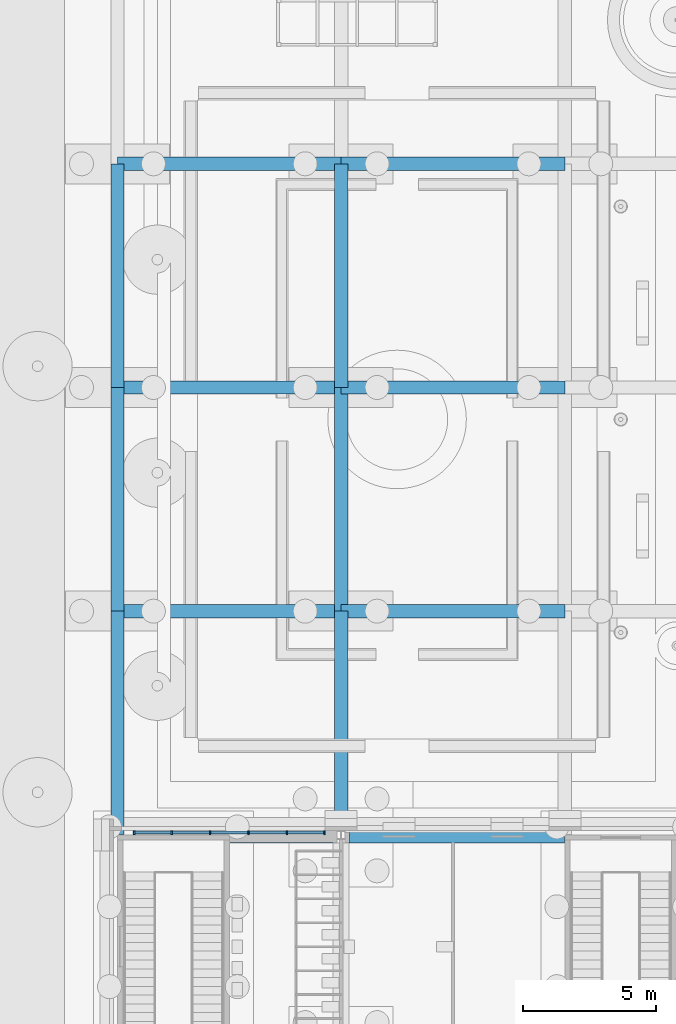
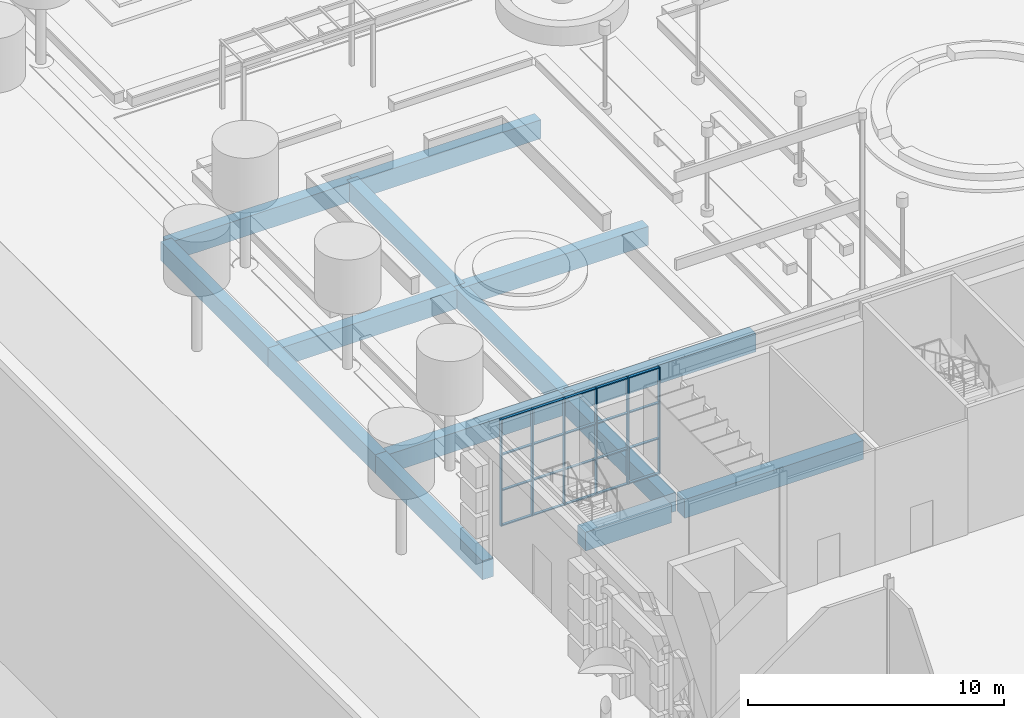
# One storey, part 42 of 222: 26 members, 14 beams, 1 element without a shape of its own.
"""IFC4 building model written with IfcOpenShell, lengths in metres."""

from ifc_helpers import new_model, si_unit, direction, frame, origin, origin_2d, place, context, subcontext, project, spatial, rectangle, extrude, material, material_profile, profile_set, type_object, element, aggregate, save


model = new_model("IFC4")

# Units and contexts
model_context = context("Model", 3, precision=1e-05, world=origin(), true_north=direction((0.0, 1.0)))
body_context = subcontext(model_context, "Body", "Model", "MODEL_VIEW")
ifc_project = project(units=[si_unit("LENGTHUNIT", "METRE"), si_unit("AREAUNIT", "SQUARE_METRE"), si_unit("VOLUMEUNIT", "CUBIC_METRE"), si_unit("PLANEANGLEUNIT", "RADIAN"), si_unit("MASSUNIT", "GRAM", prefix="KILO")], contexts=[model_context])

# Site, building, storey
site_placement = place(None, origin())
site = spatial("IfcSite", under=ifc_project, at=site_placement, CompositionType="ELEMENT")
building_placement = place(site_placement, origin())
building = spatial("IfcBuilding", under=site, at=building_placement, Name="Sava Quay Ferry Terminal", CompositionType="ELEMENT")
storey_placement = place(building_placement, origin())
storey = spatial("IfcBuildingStorey", under=building, at=storey_placement, Name="L00", CompositionType="ELEMENT", Elevation=0.0)

# Curtain wall, members
ifc_material_1 = material(Name="Aluminium and glass curtain wall, double low-e glazed", Category="aluminium")
curtain_wall_type = type_object("IfcCurtainWallType", Name="Curtain wall CW-F flank", PredefinedType="NOTDEFINED", material=ifc_material_1)
curtain_wall_placement = place(storey_placement, origin())
curtain_wall = element("IfcCurtainWall", 1, at=curtain_wall_placement, inside=storey, type_object=curtain_wall_type, Name="Curtain wall W-N L00 bay 1", PredefinedType="NOTDEFINED")
ifc_material_2 = material(Name="Aluminium EN AW-6063 T6", Category="aluminium")
ifc_material_profile_1 = material_profile(ifc_material_2, rectangle(XDim=0.14990234375, YDim=0.06005859375, at=origin_2d()), Name="Mullion 60x150 aluminium")
ifc_profile_set_1 = profile_set([ifc_material_profile_1], Name="Aluminium EN AW-6063 T6")
member_type_1 = type_object("IfcMemberType", Name="Mullion 60x150 aluminium", PredefinedType="MULLION", material=ifc_profile_set_1)
member_1_placement = place(storey_placement, frame((0.6298828125, 50.485107421875, 0.89990234375), z_axis=(0.0, 0.0, 1.0), x_axis=(0.0, 1.0, 0.0)))
member_1 = element("IfcMember", 2, at=member_1_placement, type_object=member_type_1, Name="CW119 mullion 1", PredefinedType="MULLION", context=body_context, shape_type="SweptSolid", body=[
    extrude(rectangle(XDim=0.14990234375, YDim=0.06005859375, at=origin_2d()), origin(), (0.0, 0.0, 1.0), 5.10009765625),
])
member_2_placement = place(storey_placement, frame((2.0400390625, 50.485107421875, 0.89990234375), z_axis=(0.0, 0.0, 1.0), x_axis=(0.0, 1.0, 0.0)))
member_2 = element("IfcMember", 3, at=member_2_placement, type_object=member_type_1, Name="CW119 mullion 2", PredefinedType="MULLION", context=body_context, shape_type="SweptSolid", body=[
    extrude(rectangle(XDim=0.14990234375, YDim=0.06005859375, at=origin_2d()), origin(), (0.0, 0.0, 1.0), 5.10009765625),
])
member_3_placement = place(storey_placement, frame((3.47998046875, 50.485107421875, 0.89990234375), z_axis=(0.0, 0.0, 1.0), x_axis=(0.0, 1.0, 0.0)))
member_3 = element("IfcMember", 4, at=member_3_placement, type_object=member_type_1, Name="CW119 mullion 3", PredefinedType="MULLION", context=body_context, shape_type="SweptSolid", body=[
    extrude(rectangle(XDim=0.14990234375, YDim=0.06005859375, at=origin_2d()), origin(), (0.0, 0.0, 1.0), 5.10009765625),
])
member_4_placement = place(storey_placement, frame((4.919921875, 50.485107421875, 0.89990234375), z_axis=(0.0, 0.0, 1.0), x_axis=(0.0, 1.0, 0.0)))
member_4 = element("IfcMember", 5, at=member_4_placement, type_object=member_type_1, Name="CW119 mullion 4", PredefinedType="MULLION", context=body_context, shape_type="SweptSolid", body=[
    extrude(rectangle(XDim=0.14990234375, YDim=0.06005859375, at=origin_2d()), origin(), (0.0, 0.0, 1.0), 5.10009765625),
])
member_5_placement = place(storey_placement, frame((6.360107421875, 50.485107421875, 0.89990234375), z_axis=(0.0, 0.0, 1.0), x_axis=(0.0, 1.0, 0.0)))
member_5 = element("IfcMember", 6, at=member_5_placement, type_object=member_type_1, Name="CW119 mullion 5", PredefinedType="MULLION", context=body_context, shape_type="SweptSolid", body=[
    extrude(rectangle(XDim=0.14990234375, YDim=0.06005859375, at=origin_2d()), origin(), (0.0, 0.0, 1.0), 5.10009765625),
])
member_6_placement = place(storey_placement, frame((7.77001953125, 50.485107421875, 0.89990234375), z_axis=(0.0, 0.0, 1.0), x_axis=(0.0, 1.0, 0.0)))
member_6 = element("IfcMember", 7, at=member_6_placement, type_object=member_type_1, Name="CW119 mullion 6", PredefinedType="MULLION", context=body_context, shape_type="SweptSolid", body=[
    extrude(rectangle(XDim=0.14990234375, YDim=0.06005859375, at=origin_2d()), origin(), (0.0, 0.0, 1.0), 5.10009765625),
])

# Beams
ifc_material_3 = material(Name="Concrete C40/50", Category="concrete")
ifc_material_profile_2 = material_profile(ifc_material_3, rectangle(XDim=0.5, YDim=0.89990234375, at=origin_2d()), Name="RC 500x900")
ifc_profile_set_2 = profile_set([ifc_material_profile_2], Name="Concrete C40/50")
beam_type_1 = type_object("IfcBeamType", Name="RC deck beam 500x900", PredefinedType="BEAM", material=ifc_profile_set_2)
beam_1_placement = place(storey_placement, frame((0.0, 58.800048828125, -0.89990234375), z_axis=(1.0, 0.0, 0.0), x_axis=(0.0, 1.0, 0.0)))
element("IfcBeam", 8, at=beam_1_placement, inside=storey, type_object=beam_type_1, Name="Deck beam X58.8-0", PredefinedType="BEAM", context=body_context, shape_type="SweptSolid", body=[
    extrude(rectangle(XDim=0.5, YDim=0.89990234375, at=origin_2d()), origin(), (0.0, 0.0, 1.0), 8.39990234375),
])
beam_2_placement = place(storey_placement, frame((8.39990234375, 58.800048828125, -0.89990234375), z_axis=(1.0, 0.0, 0.0), x_axis=(0.0, 1.0, 0.0)))
element("IfcBeam", 9, at=beam_2_placement, inside=storey, type_object=beam_type_1, Name="Deck beam X58.8-8.4", PredefinedType="BEAM", context=body_context, shape_type="SweptSolid", body=[
    extrude(rectangle(XDim=0.5, YDim=0.89990234375, at=origin_2d()), origin(), (0.0, 0.0, 1.0), 8.400146484375),
])
beam_3_placement = place(storey_placement, frame((0.0, 67.199951171875, -0.89990234375), z_axis=(1.0, 0.0, 0.0), x_axis=(0.0, 1.0, 0.0)))
element("IfcBeam", 10, at=beam_3_placement, inside=storey, type_object=beam_type_1, Name="Deck beam X67.2-0", PredefinedType="BEAM", context=body_context, shape_type="SweptSolid", body=[
    extrude(rectangle(XDim=0.5, YDim=0.89990234375, at=origin_2d()), origin(), (0.0, 0.0, 1.0), 8.39990234375),
])
beam_4_placement = place(storey_placement, frame((8.39990234375, 67.199951171875, -0.89990234375), z_axis=(1.0, 0.0, 0.0), x_axis=(0.0, 1.0, 0.0)))
element("IfcBeam", 11, at=beam_4_placement, inside=storey, type_object=beam_type_1, Name="Deck beam X67.2-8.4", PredefinedType="BEAM", context=body_context, shape_type="SweptSolid", body=[
    extrude(rectangle(XDim=0.5, YDim=0.89990234375, at=origin_2d()), origin(), (0.0, 0.0, 1.0), 8.400146484375),
])
beam_5_placement = place(storey_placement, frame((0.0, 75.60009765625, -0.89990234375), z_axis=(1.0, 0.0, 0.0), x_axis=(0.0, 1.0, 0.0)))
element("IfcBeam", 12, at=beam_5_placement, inside=storey, type_object=beam_type_1, Name="Deck beam X75.6-0", PredefinedType="BEAM", context=body_context, shape_type="SweptSolid", body=[
    extrude(rectangle(XDim=0.5, YDim=0.89990234375, at=origin_2d()), origin(), (0.0, 0.0, 1.0), 8.39990234375),
])
beam_6_placement = place(storey_placement, frame((8.39990234375, 75.60009765625, -0.89990234375), z_axis=(1.0, 0.0, 0.0), x_axis=(0.0, 1.0, 0.0)))
element("IfcBeam", 13, at=beam_6_placement, inside=storey, type_object=beam_type_1, Name="Deck beam X75.6-8.4", PredefinedType="BEAM", context=body_context, shape_type="SweptSolid", body=[
    extrude(rectangle(XDim=0.5, YDim=0.89990234375, at=origin_2d()), origin(), (0.0, 0.0, 1.0), 8.400146484375),
])
beam_7_placement = place(storey_placement, frame((0.0, 50.419921875, -0.89990234375), z_axis=(0.0, 1.0, 0.0), x_axis=(-1.0, 0.0, 0.0)))
element("IfcBeam", 14, at=beam_7_placement, inside=storey, type_object=beam_type_1, Name="Deck beam Y0-50.4", PredefinedType="BEAM", context=body_context, shape_type="SweptSolid", body=[
    extrude(rectangle(XDim=0.5, YDim=0.89990234375, at=origin_2d()), origin(), (0.0, 0.0, 1.0), 8.380126953125),
])
beam_8_placement = place(storey_placement, frame((0.0, 58.800048828125, -0.89990234375), z_axis=(0.0, 1.0, 0.0), x_axis=(-1.0, 0.0, 0.0)))
element("IfcBeam", 15, at=beam_8_placement, inside=storey, type_object=beam_type_1, Name="Deck beam Y0-58.8", PredefinedType="BEAM", context=body_context, shape_type="SweptSolid", body=[
    extrude(rectangle(XDim=0.5, YDim=0.89990234375, at=origin_2d()), origin(), (0.0, 0.0, 1.0), 8.39990234375),
])
beam_9_placement = place(storey_placement, frame((0.0, 67.199951171875, -0.89990234375), z_axis=(0.0, 1.0, 0.0), x_axis=(-1.0, 0.0, 0.0)))
element("IfcBeam", 16, at=beam_9_placement, inside=storey, type_object=beam_type_1, Name="Deck beam Y0-67.2", PredefinedType="BEAM", context=body_context, shape_type="SweptSolid", body=[
    extrude(rectangle(XDim=0.5, YDim=0.89990234375, at=origin_2d()), origin(), (0.0, 0.0, 1.0), 8.400146484375),
])
beam_10_placement = place(storey_placement, frame((8.39990234375, 50.699951171875, -0.89990234375), z_axis=(0.0, 1.0, 0.0), x_axis=(-1.0, 0.0, 0.0)))
element("IfcBeam", 17, at=beam_10_placement, inside=storey, type_object=beam_type_1, Name="Deck beam Y8.4-50.4", PredefinedType="BEAM", context=body_context, shape_type="SweptSolid", body=[
    extrude(rectangle(XDim=0.5, YDim=0.89990234375, at=origin_2d()), origin(), (0.0, 0.0, 1.0), 8.10009765625),
])
beam_11_placement = place(storey_placement, frame((8.39990234375, 58.800048828125, -0.89990234375), z_axis=(0.0, 1.0, 0.0), x_axis=(-1.0, 0.0, 0.0)))
element("IfcBeam", 18, at=beam_11_placement, inside=storey, type_object=beam_type_1, Name="Deck beam Y8.4-58.8", PredefinedType="BEAM", context=body_context, shape_type="SweptSolid", body=[
    extrude(rectangle(XDim=0.5, YDim=0.89990234375, at=origin_2d()), origin(), (0.0, 0.0, 1.0), 8.39990234375),
])
beam_12_placement = place(storey_placement, frame((8.39990234375, 67.199951171875, -0.89990234375), z_axis=(0.0, 1.0, 0.0), x_axis=(-1.0, 0.0, 0.0)))
element("IfcBeam", 19, at=beam_12_placement, inside=storey, type_object=beam_type_1, Name="Deck beam Y8.4-67.2", PredefinedType="BEAM", context=body_context, shape_type="SweptSolid", body=[
    extrude(rectangle(XDim=0.5, YDim=0.89990234375, at=origin_2d()), origin(), (0.0, 0.0, 1.0), 8.400146484375),
])
ifc_material_4 = material(Name="Concrete C40/50", Category="concrete")
ifc_material_profile_3 = material_profile(ifc_material_4, rectangle(XDim=0.60009765625, YDim=0.89990234375, at=origin_2d()), Name="RC 600x900")
ifc_profile_set_3 = profile_set([ifc_material_profile_3], Name="Concrete C40/50")
beam_type_2 = type_object("IfcBeamType", Name="RC deck beam 600x900", PredefinedType="BEAM", material=ifc_profile_set_3)
beam_13_placement = place(storey_placement, frame((4.219970703125, 50.39990234375, -0.89990234375), z_axis=(1.0, 0.0, 0.0), x_axis=(0.0, 1.0, 0.0)))
element("IfcBeam", 20, at=beam_13_placement, inside=storey, type_object=beam_type_2, Name="Deck beam X50.4-0", PredefinedType="BEAM", context=body_context, shape_type="SweptSolid", body=[
    extrude(rectangle(XDim=0.60009765625, YDim=0.89990234375, at=origin_2d()), origin(), (0.0, 0.0, 1.0), 3.880126953125),
])
beam_14_placement = place(storey_placement, frame((8.699951171875, 50.39990234375, -0.89990234375), z_axis=(1.0, 0.0, 0.0), x_axis=(0.0, 1.0, 0.0)))
element("IfcBeam", 21, at=beam_14_placement, inside=storey, type_object=beam_type_2, Name="Deck beam X50.4-8.4", PredefinedType="BEAM", context=body_context, shape_type="SweptSolid", body=[
    extrude(rectangle(XDim=0.60009765625, YDim=0.89990234375, at=origin_2d()), origin(), (0.0, 0.0, 1.0), 8.080078125),
])

# Member
ifc_material_5 = material(Name="Aluminium EN AW-6063 T6", Category="aluminium")
ifc_material_profile_4 = material_profile(ifc_material_5, rectangle(XDim=0.1201171875, YDim=0.050048828125, at=origin_2d()), Name="Transom 50x120 aluminium")
ifc_profile_set_4 = profile_set([ifc_material_profile_4], Name="Aluminium EN AW-6063 T6")
member_type_2 = type_object("IfcMemberType", Name="Transom 50x120 aluminium", PredefinedType="USERDEFINED", material=ifc_profile_set_4)
member_7_placement = place(storey_placement, frame((0.659912109375, 50.485107421875, 0.925048828125), z_axis=(1.0, 0.0, 0.0), x_axis=(0.0, 1.0, 0.0)))
member_7 = element("IfcMember", 22, at=member_7_placement, type_object=member_type_2, Name="CW119 transom 1.1", ObjectType="TRANSOM", PredefinedType="USERDEFINED", context=body_context, shape_type="SweptSolid", body=[
    extrude(rectangle(XDim=0.1201171875, YDim=0.050048828125, at=origin_2d()), origin(), (0.0, 0.0, 1.0), 1.35009765625),
])

member_8_placement = place(storey_placement, frame((0.659912109375, 50.485107421875, 2.60009765625), z_axis=(1.0, 0.0, 0.0), x_axis=(0.0, 1.0, 0.0)))
member_8 = element("IfcMember", 23, at=member_8_placement, type_object=member_type_2, Name="CW119 transom 1.2", ObjectType="TRANSOM", PredefinedType="USERDEFINED", context=body_context, shape_type="SweptSolid", body=[
    extrude(rectangle(XDim=0.1201171875, YDim=0.050048828125, at=origin_2d()), origin(), (0.0, 0.0, 1.0), 1.35009765625),
])

member_9_placement = place(storey_placement, frame((0.659912109375, 50.485107421875, 4.300048828125), z_axis=(1.0, 0.0, 0.0), x_axis=(0.0, 1.0, 0.0)))
member_9 = element("IfcMember", 24, at=member_9_placement, type_object=member_type_2, Name="CW119 transom 1.3", ObjectType="TRANSOM", PredefinedType="USERDEFINED", context=body_context, shape_type="SweptSolid", body=[
    extrude(rectangle(XDim=0.1201171875, YDim=0.050048828125, at=origin_2d()), origin(), (0.0, 0.0, 1.0), 1.35009765625),
])

member_10_placement = place(storey_placement, frame((0.659912109375, 50.485107421875, 5.97509765625), z_axis=(1.0, 0.0, 0.0), x_axis=(0.0, 1.0, 0.0)))
member_10 = element("IfcMember", 25, at=member_10_placement, type_object=member_type_2, Name="CW119 transom 1.4", ObjectType="TRANSOM", PredefinedType="USERDEFINED", context=body_context, shape_type="SweptSolid", body=[
    extrude(rectangle(XDim=0.1201171875, YDim=0.050048828125, at=origin_2d()), origin(), (0.0, 0.0, 1.0), 1.35009765625),
])

member_11_placement = place(storey_placement, frame((2.070068359375, 50.485107421875, 0.925048828125), z_axis=(1.0, 0.0, 0.0), x_axis=(0.0, 1.0, 0.0)))
member_11 = element("IfcMember", 26, at=member_11_placement, type_object=member_type_2, Name="CW119 transom 2.1", ObjectType="TRANSOM", PredefinedType="USERDEFINED", context=body_context, shape_type="SweptSolid", body=[
    extrude(rectangle(XDim=0.1201171875, YDim=0.050048828125, at=origin_2d()), origin(), (0.0, 0.0, 1.0), 1.3798828125),
])

member_12_placement = place(storey_placement, frame((2.070068359375, 50.485107421875, 2.60009765625), z_axis=(1.0, 0.0, 0.0), x_axis=(0.0, 1.0, 0.0)))
member_12 = element("IfcMember", 27, at=member_12_placement, type_object=member_type_2, Name="CW119 transom 2.2", ObjectType="TRANSOM", PredefinedType="USERDEFINED", context=body_context, shape_type="SweptSolid", body=[
    extrude(rectangle(XDim=0.1201171875, YDim=0.050048828125, at=origin_2d()), origin(), (0.0, 0.0, 1.0), 1.3798828125),
])

member_13_placement = place(storey_placement, frame((2.070068359375, 50.485107421875, 4.300048828125), z_axis=(1.0, 0.0, 0.0), x_axis=(0.0, 1.0, 0.0)))
member_13 = element("IfcMember", 28, at=member_13_placement, type_object=member_type_2, Name="CW119 transom 2.3", ObjectType="TRANSOM", PredefinedType="USERDEFINED", context=body_context, shape_type="SweptSolid", body=[
    extrude(rectangle(XDim=0.1201171875, YDim=0.050048828125, at=origin_2d()), origin(), (0.0, 0.0, 1.0), 1.3798828125),
])

member_14_placement = place(storey_placement, frame((2.070068359375, 50.485107421875, 5.97509765625), z_axis=(1.0, 0.0, 0.0), x_axis=(0.0, 1.0, 0.0)))
member_14 = element("IfcMember", 29, at=member_14_placement, type_object=member_type_2, Name="CW119 transom 2.4", ObjectType="TRANSOM", PredefinedType="USERDEFINED", context=body_context, shape_type="SweptSolid", body=[
    extrude(rectangle(XDim=0.1201171875, YDim=0.050048828125, at=origin_2d()), origin(), (0.0, 0.0, 1.0), 1.3798828125),
])

member_15_placement = place(storey_placement, frame((3.510009765625, 50.485107421875, 0.925048828125), z_axis=(1.0, 0.0, 0.0), x_axis=(0.0, 1.0, 0.0)))
member_15 = element("IfcMember", 30, at=member_15_placement, type_object=member_type_2, Name="CW119 transom 3.1", ObjectType="TRANSOM", PredefinedType="USERDEFINED", context=body_context, shape_type="SweptSolid", body=[
    extrude(rectangle(XDim=0.1201171875, YDim=0.050048828125, at=origin_2d()), origin(), (0.0, 0.0, 1.0), 1.3798828125),
])

member_16_placement = place(storey_placement, frame((3.510009765625, 50.485107421875, 2.60009765625), z_axis=(1.0, 0.0, 0.0), x_axis=(0.0, 1.0, 0.0)))
member_16 = element("IfcMember", 31, at=member_16_placement, type_object=member_type_2, Name="CW119 transom 3.2", ObjectType="TRANSOM", PredefinedType="USERDEFINED", context=body_context, shape_type="SweptSolid", body=[
    extrude(rectangle(XDim=0.1201171875, YDim=0.050048828125, at=origin_2d()), origin(), (0.0, 0.0, 1.0), 1.3798828125),
])

member_17_placement = place(storey_placement, frame((3.510009765625, 50.485107421875, 4.300048828125), z_axis=(1.0, 0.0, 0.0), x_axis=(0.0, 1.0, 0.0)))
member_17 = element("IfcMember", 32, at=member_17_placement, type_object=member_type_2, Name="CW119 transom 3.3", ObjectType="TRANSOM", PredefinedType="USERDEFINED", context=body_context, shape_type="SweptSolid", body=[
    extrude(rectangle(XDim=0.1201171875, YDim=0.050048828125, at=origin_2d()), origin(), (0.0, 0.0, 1.0), 1.3798828125),
])

member_18_placement = place(storey_placement, frame((3.510009765625, 50.485107421875, 5.97509765625), z_axis=(1.0, 0.0, 0.0), x_axis=(0.0, 1.0, 0.0)))
member_18 = element("IfcMember", 33, at=member_18_placement, type_object=member_type_2, Name="CW119 transom 3.4", ObjectType="TRANSOM", PredefinedType="USERDEFINED", context=body_context, shape_type="SweptSolid", body=[
    extrude(rectangle(XDim=0.1201171875, YDim=0.050048828125, at=origin_2d()), origin(), (0.0, 0.0, 1.0), 1.3798828125),
])

member_19_placement = place(storey_placement, frame((4.949951171875, 50.485107421875, 0.925048828125), z_axis=(1.0, 0.0, 0.0), x_axis=(0.0, 1.0, 0.0)))
member_19 = element("IfcMember", 34, at=member_19_placement, type_object=member_type_2, Name="CW119 transom 4.1", ObjectType="TRANSOM", PredefinedType="USERDEFINED", context=body_context, shape_type="SweptSolid", body=[
    extrude(rectangle(XDim=0.1201171875, YDim=0.050048828125, at=origin_2d()), origin(), (0.0, 0.0, 1.0), 1.380126953125),
])

member_20_placement = place(storey_placement, frame((4.949951171875, 50.485107421875, 2.60009765625), z_axis=(1.0, 0.0, 0.0), x_axis=(0.0, 1.0, 0.0)))
member_20 = element("IfcMember", 35, at=member_20_placement, type_object=member_type_2, Name="CW119 transom 4.2", ObjectType="TRANSOM", PredefinedType="USERDEFINED", context=body_context, shape_type="SweptSolid", body=[
    extrude(rectangle(XDim=0.1201171875, YDim=0.050048828125, at=origin_2d()), origin(), (0.0, 0.0, 1.0), 1.380126953125),
])

member_21_placement = place(storey_placement, frame((4.949951171875, 50.485107421875, 4.300048828125), z_axis=(1.0, 0.0, 0.0), x_axis=(0.0, 1.0, 0.0)))
member_21 = element("IfcMember", 36, at=member_21_placement, type_object=member_type_2, Name="CW119 transom 4.3", ObjectType="TRANSOM", PredefinedType="USERDEFINED", context=body_context, shape_type="SweptSolid", body=[
    extrude(rectangle(XDim=0.1201171875, YDim=0.050048828125, at=origin_2d()), origin(), (0.0, 0.0, 1.0), 1.380126953125),
])

member_22_placement = place(storey_placement, frame((4.949951171875, 50.485107421875, 5.97509765625), z_axis=(1.0, 0.0, 0.0), x_axis=(0.0, 1.0, 0.0)))
member_22 = element("IfcMember", 37, at=member_22_placement, type_object=member_type_2, Name="CW119 transom 4.4", ObjectType="TRANSOM", PredefinedType="USERDEFINED", context=body_context, shape_type="SweptSolid", body=[
    extrude(rectangle(XDim=0.1201171875, YDim=0.050048828125, at=origin_2d()), origin(), (0.0, 0.0, 1.0), 1.380126953125),
])

member_23_placement = place(storey_placement, frame((6.389892578125, 50.485107421875, 0.925048828125), z_axis=(1.0, 0.0, 0.0), x_axis=(0.0, 1.0, 0.0)))
member_23 = element("IfcMember", 38, at=member_23_placement, type_object=member_type_2, Name="CW119 transom 5.1", ObjectType="TRANSOM", PredefinedType="USERDEFINED", context=body_context, shape_type="SweptSolid", body=[
    extrude(rectangle(XDim=0.1201171875, YDim=0.050048828125, at=origin_2d()), origin(), (0.0, 0.0, 1.0), 1.35009765625),
])

member_24_placement = place(storey_placement, frame((6.389892578125, 50.485107421875, 2.60009765625), z_axis=(1.0, 0.0, 0.0), x_axis=(0.0, 1.0, 0.0)))
member_24 = element("IfcMember", 39, at=member_24_placement, type_object=member_type_2, Name="CW119 transom 5.2", ObjectType="TRANSOM", PredefinedType="USERDEFINED", context=body_context, shape_type="SweptSolid", body=[
    extrude(rectangle(XDim=0.1201171875, YDim=0.050048828125, at=origin_2d()), origin(), (0.0, 0.0, 1.0), 1.35009765625),
])

member_25_placement = place(storey_placement, frame((6.389892578125, 50.485107421875, 4.300048828125), z_axis=(1.0, 0.0, 0.0), x_axis=(0.0, 1.0, 0.0)))
member_25 = element("IfcMember", 40, at=member_25_placement, type_object=member_type_2, Name="CW119 transom 5.3", ObjectType="TRANSOM", PredefinedType="USERDEFINED", context=body_context, shape_type="SweptSolid", body=[
    extrude(rectangle(XDim=0.1201171875, YDim=0.050048828125, at=origin_2d()), origin(), (0.0, 0.0, 1.0), 1.35009765625),
])

member_26_placement = place(storey_placement, frame((6.389892578125, 50.485107421875, 5.97509765625), z_axis=(1.0, 0.0, 0.0), x_axis=(0.0, 1.0, 0.0)))
member_26 = element("IfcMember", 41, at=member_26_placement, type_object=member_type_2, Name="CW119 transom 5.4", ObjectType="TRANSOM", PredefinedType="USERDEFINED", context=body_context, shape_type="SweptSolid", body=[
    extrude(rectangle(XDim=0.1201171875, YDim=0.050048828125, at=origin_2d()), origin(), (0.0, 0.0, 1.0), 1.35009765625),
])

aggregate(curtain_wall, [member_1, member_2, member_3, member_4, member_5, member_6, member_7, member_8, member_9, member_10, member_11, member_12, member_13, member_14, member_15, member_16, member_17, member_18, member_19, member_20, member_21, member_22, member_23, member_24, member_25, member_26])

save(model, "model.ifc")
